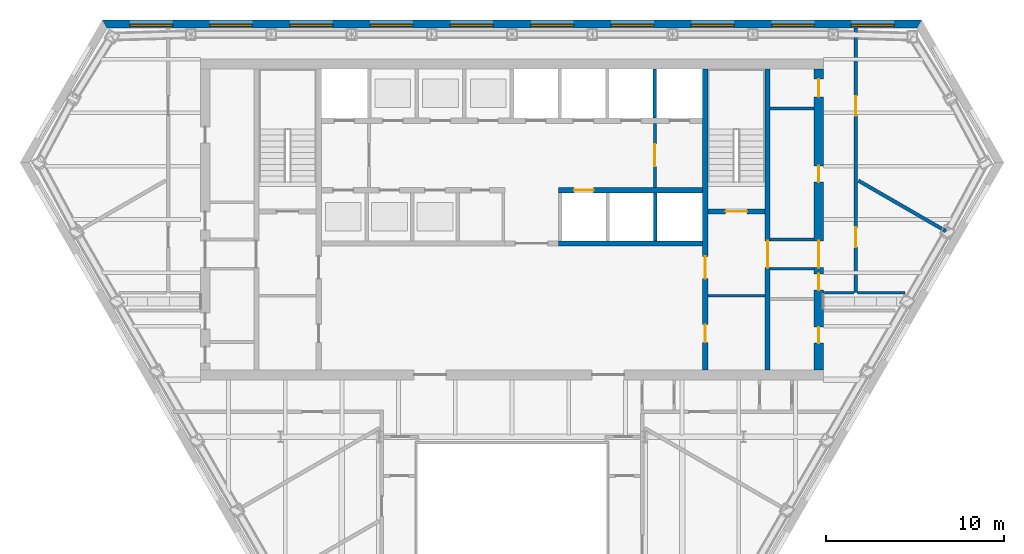
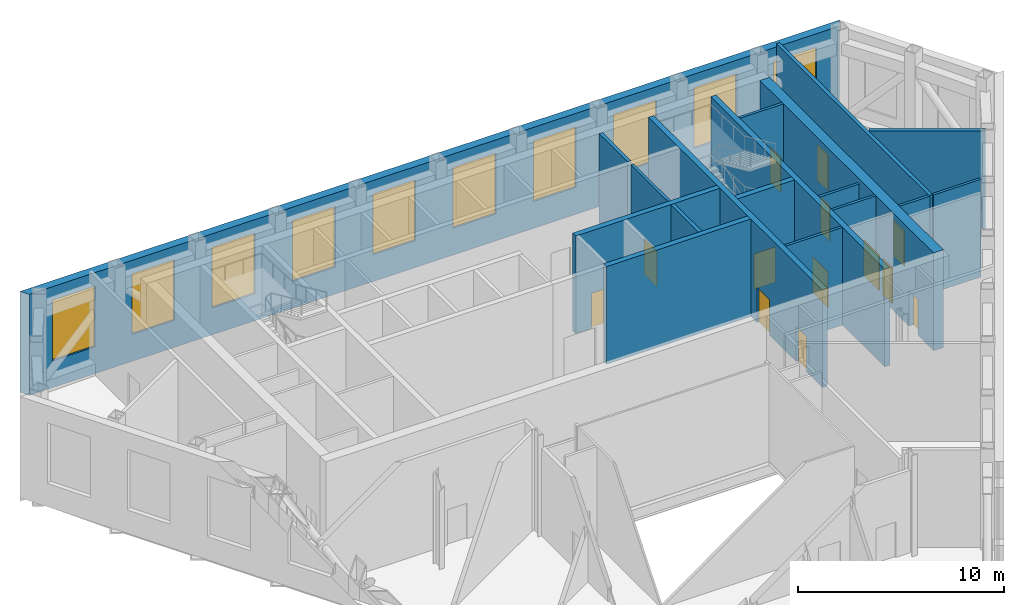
# One storey, part 10 of 15: 18 walls, 13 doors, 10 shading devices, 23 openings.
"""IFC4 building model written with IfcOpenShell, lengths in metres."""

from ifc_helpers import new_model, si_unit, direction, frame, frame_2d, origin, place, context, subcontext, project, spatial, polyline, rectangle, outline, extrude, material, layer, layer_set, type_object, element, fill, save


model = new_model("IFC4")

# Units and contexts
model_context = context("Model", 3, precision=1e-05, world=origin(), true_north=direction((0.0, 1.0)))
body_context = subcontext(model_context, "Body", "Model", "MODEL_VIEW")
ifc_project = project(units=[si_unit("LENGTHUNIT", "METRE"), si_unit("AREAUNIT", "SQUARE_METRE"), si_unit("VOLUMEUNIT", "CUBIC_METRE"), si_unit("PLANEANGLEUNIT", "RADIAN"), si_unit("MASSUNIT", "GRAM", prefix="KILO")], contexts=[model_context])

# Site, building, storey
site_placement = place(None, origin())
site = spatial("IfcSite", under=ifc_project, at=site_placement, CompositionType="ELEMENT")
building_placement = place(site_placement, origin())
building = spatial("IfcBuilding", under=site, at=building_placement, Name="Njiva Tower", CompositionType="ELEMENT")
storey_placement = place(building_placement, frame((0.0, 0.0, 133.8)))
storey = spatial("IfcBuildingStorey", under=building, at=storey_placement, Name="L28", CompositionType="ELEMENT", Elevation=133.8)

# Walls
ifc_material_1 = material(Name="Blockwork", Category="masonry")
ifc_layer_1 = layer(ifc_material_1, 0.15)
ifc_layer_set_1 = layer_set([ifc_layer_1], Name="Blockwork")
wall_type_1 = type_object("IfcWallType", Name="WT1 Compartment partition 150", PredefinedType="PARTITIONING", material=ifc_layer_set_1)
wall_1_placement = place(storey_placement, frame((11.0, 4.725, 0.0), z_axis=(0.0, 0.0, 1.0), x_axis=(1.0, 0.0, 0.0)))
element("IfcWall", 1, at=wall_1_placement, inside=storey, type_object=wall_type_1, Name="Room wall B", PredefinedType="PARTITIONING", context=body_context, shape_type="SweptSolid", body=[
    extrude(rectangle(XDim=3.2, YDim=0.15, at=frame_2d((1.6, 0.0))), origin(), (0.0, 0.0, 1.0), 5.8),
])
wall_2_placement = place(storey_placement, frame((14.5, 15.2299, 0.0), z_axis=(0.0, 0.0, 1.0), x_axis=(1.0, 0.0, 0.0)))
element("IfcWall", 2, at=wall_2_placement, inside=storey, type_object=wall_type_1, Name="Partition strip E10", PredefinedType="PARTITIONING", context=body_context, shape_type="SweptSolid", body=[
    extrude(rectangle(XDim=2.45, YDim=0.15, at=frame_2d((1.225, 0.0))), origin(), (0.0, 0.0, 1.0), 5.8),
])

# Wall, openings, doors
ifc_material_2 = material(Name="Concrete C40/50", Category="concrete")
ifc_layer_2 = layer(ifc_material_2, 0.3)
ifc_layer_set_2 = layer_set([ifc_layer_2], Name="Concrete C40/50")
wall_type_2 = type_object("IfcWallType", Name="WT10 Stair enclosure wall 300", PredefinedType="SHEAR", material=ifc_layer_set_2)
wall_3_placement = place(storey_placement, frame((10.85, 0.55, 0.0), z_axis=(0.0, 0.0, 1.0), x_axis=(0.0, 1.0, 0.0)))
wall_3 = element("IfcWall", 3, at=wall_3_placement, inside=storey, type_object=wall_type_2, Name="Stair wall east inner", PredefinedType="SHEAR", context=body_context, shape_type="SweptSolid", body=[
    extrude(rectangle(XDim=16.9, YDim=0.3, at=frame_2d((8.45, 0.0))), origin(), (0.0, 0.0, 1.0), 5.8),
])
opening_1_placement = place(wall_3_placement, frame((5.125, 0.0, 0.0)))
opening_1 = element("IfcOpeningElement", 4, at=opening_1_placement, cuts=wall_3, Name="Opening T2-D920", PredefinedType="OPENING", context=body_context, shape_type="SweptSolid", body=[
    extrude(rectangle(XDim=1.25, YDim=2.1, at=frame_2d((0.625, 1.05))), frame((0.0, 0.16, 0.0), z_axis=(0.0, -1.0, 0.0), x_axis=(1.0, 0.0, 0.0)), (0.0, 0.0, 1.0), 0.32),
])
opening_2_placement = place(wall_3_placement, frame((1.55, 0.0, 0.0)))
opening_2 = element("IfcOpeningElement", 5, at=opening_2_placement, cuts=wall_3, Name="Opening T2-D921", PredefinedType="OPENING", context=body_context, shape_type="SweptSolid", body=[
    extrude(rectangle(XDim=1.0, YDim=2.1, at=frame_2d((0.5, 1.05))), frame((0.0, 0.16, 0.0), z_axis=(0.0, -1.0, 0.0), x_axis=(1.0, 0.0, 0.0)), (0.0, 0.0, 1.0), 0.32),
])
ifc_material_3 = material(Name="Steel door, painted", Category="steel")
door_type_1 = type_object("IfcDoorType", Name="D5 Steel door 1000x2100", OperationType="SINGLE_SWING_LEFT", PredefinedType="DOOR", material=ifc_material_3)
door_1_placement = place(opening_2_placement, origin())
door_1 = element("IfcDoor", 6, at=door_1_placement, inside=storey, type_object=door_type_1, Name="Electrical plant room door", OperationType="SINGLE_SWING_LEFT", OverallHeight=2.1, OverallWidth=1.0, PredefinedType="DOOR", context=body_context, shape_type="SweptSolid", body=[
    extrude(rectangle(XDim=1.0, YDim=2.1, at=frame_2d((0.5, 1.05))), frame((0.0, 0.025, 0.0), z_axis=(0.0, -1.0, 0.0), x_axis=(1.0, 0.0, 0.0)), (0.0, 0.0, 1.0), 0.05),
])
fill(opening_2, door_1)
ifc_material_4 = material(Name="Glazed steel fire door", Category="steel")
door_type_2 = type_object("IfcDoorType", Name="D8 Vestibule corridor door 1250x2100 glazed", OperationType="SINGLE_SWING_LEFT", PredefinedType="DOOR", material=ifc_material_4)
door_2_placement = place(opening_1_placement, origin())
door_2 = element("IfcDoor", 7, at=door_2_placement, inside=storey, type_object=door_type_2, Name="Stair vestibule corridor door", OperationType="SINGLE_SWING_RIGHT", OverallHeight=2.1, OverallWidth=1.25, PredefinedType="DOOR", context=body_context, shape_type="SweptSolid", body=[
    extrude(rectangle(XDim=1.25, YDim=2.1, at=frame_2d((0.625, 1.05))), frame((0.0, 0.025, 0.0), z_axis=(0.0, -1.0, 0.0), x_axis=(1.0, 0.0, 0.0)), (0.0, 0.0, 1.0), 0.05),
])
fill(opening_1, door_2)

# Wall, opening, door
wall_4_placement = place(storey_placement, frame((14.35, 0.55, 0.0), z_axis=(0.0, 0.0, 1.0), x_axis=(0.0, 1.0, 0.0)))
wall_4 = element("IfcWall", 8, at=wall_4_placement, inside=storey, type_object=wall_type_2, Name="Stair wall east outer", PredefinedType="SHEAR", context=body_context, shape_type="SweptSolid", body=[
    extrude(rectangle(XDim=16.9, YDim=0.3, at=frame_2d((8.45, 0.0))), origin(), (0.0, 0.0, 1.0), 5.8),
])
opening_3_placement = place(wall_4_placement, frame((5.75, 0.0, 0.0)))
opening_3 = element("IfcOpeningElement", 9, at=opening_3_placement, cuts=wall_4, Name="Opening T2-D928", PredefinedType="OPENING", context=body_context, shape_type="SweptSolid", body=[
    extrude(rectangle(XDim=1.5, YDim=2.1, at=frame_2d((0.75, 1.05))), frame((0.0, 0.16, 0.0), z_axis=(0.0, -1.0, 0.0), x_axis=(1.0, 0.0, 0.0)), (0.0, 0.0, 1.0), 0.32),
])
door_type_3 = type_object("IfcDoorType", Name="D10 Exit door double 1500x2100 glazed", OperationType="DOUBLE_DOOR_SINGLE_SWING", PredefinedType="DOOR", material=ifc_material_4)
door_3_placement = place(opening_3_placement, origin())
door_3 = element("IfcDoor", 10, at=door_3_placement, inside=storey, type_object=door_type_3, Name="Stair B passage door", OperationType="DOUBLE_DOOR_SINGLE_SWING", OverallHeight=2.1, OverallWidth=1.5, PredefinedType="DOOR", context=body_context, shape_type="SweptSolid", body=[
    extrude(rectangle(XDim=1.5, YDim=2.1, at=frame_2d((0.75, 1.05))), frame((0.0, 0.025, 0.0), z_axis=(0.0, -1.0, 0.0), x_axis=(1.0, 0.0, 0.0)), (0.0, 0.0, 1.0), 0.05),
])
fill(opening_3, door_3)

wall_5_placement = place(storey_placement, frame((11.0, 9.45, 0.0), z_axis=(0.0, 0.0, 1.0), x_axis=(1.0, 0.0, 0.0)))
wall_5 = element("IfcWall", 11, at=wall_5_placement, inside=storey, type_object=wall_type_2, Name="Stair B south wall", PredefinedType="SHEAR", context=body_context, shape_type="SweptSolid", body=[
    extrude(rectangle(XDim=3.2, YDim=0.3, at=frame_2d((1.6, 0.0))), origin(), (0.0, 0.0, 1.0), 5.8),
])
opening_4_placement = place(wall_5_placement, frame((1.0, 0.0, 0.0)))
opening_4 = element("IfcOpeningElement", 12, at=opening_4_placement, cuts=wall_5, Name="Opening T2-D919", PredefinedType="OPENING", context=body_context, shape_type="SweptSolid", body=[
    extrude(rectangle(XDim=1.2, YDim=2.1, at=frame_2d((0.6, 1.05))), frame((0.0, 0.16, 0.0), z_axis=(0.0, -1.0, 0.0), x_axis=(1.0, 0.0, 0.0)), (0.0, 0.0, 1.0), 0.32),
])
door_type_4 = type_object("IfcDoorType", Name="D7 Stair vestibule door 1200x2100 glazed", OperationType="SINGLE_SWING_LEFT", PredefinedType="DOOR", material=ifc_material_4)
door_4_placement = place(opening_4_placement, origin())
door_4 = element("IfcDoor", 13, at=door_4_placement, inside=storey, type_object=door_type_4, Name="Stair B door", OperationType="SINGLE_SWING_LEFT", OverallHeight=2.1, OverallWidth=1.2, PredefinedType="DOOR", context=body_context, shape_type="SweptSolid", body=[
    extrude(rectangle(XDim=1.2, YDim=2.1, at=frame_2d((0.6, 1.05))), frame((0.0, 0.025, 0.0), z_axis=(0.0, -1.0, 0.0), x_axis=(1.0, 0.0, 0.0)), (0.0, 0.0, 1.0), 0.05),
])
fill(opening_4, door_4)

# Wall, openings, doors
ifc_material_5 = material(Name="Concrete C60/75", Category="concrete")
ifc_layer_3 = layer(ifc_material_5, 0.55)
ifc_layer_set_3 = layer_set([ifc_layer_3], Name="Concrete C60/75")
wall_type_3 = type_object("IfcWallType", Name="WT14 Core wall 550", PredefinedType="SHEAR", material=ifc_layer_set_3)
wall_6_placement = place(storey_placement, frame((17.225, 0.55, 0.0), z_axis=(0.0, 0.0, 1.0), x_axis=(0.0, 1.0, 0.0)))
wall_6 = element("IfcWall", 14, at=wall_6_placement, inside=storey, type_object=wall_type_3, Name="Core wall east", PredefinedType="SHEAR", context=body_context, shape_type="SweptSolid", body=[
    extrude(rectangle(XDim=16.9, YDim=0.55, at=frame_2d((8.45, 0.0))), origin(), (0.0, 0.0, 1.0), 5.8),
])
opening_5_placement = place(wall_6_placement, frame((5.75, 0.0, 0.0)))
opening_5 = element("IfcOpeningElement", 15, at=opening_5_placement, cuts=wall_6, Name="Opening T2-D929", PredefinedType="OPENING", context=body_context, shape_type="SweptSolid", body=[
    extrude(rectangle(XDim=1.5, YDim=2.1, at=frame_2d((0.75, 1.05))), frame((0.0, 0.285, 0.0), z_axis=(0.0, -1.0, 0.0), x_axis=(1.0, 0.0, 0.0)), (0.0, 0.0, 1.0), 0.57),
])
opening_6_placement = place(wall_6_placement, frame((1.5064, 0.0, 0.0)))
opening_6 = element("IfcOpeningElement", 16, at=opening_6_placement, cuts=wall_6, Name="Opening T2-D930", PredefinedType="OPENING", context=body_context, shape_type="SweptSolid", body=[
    extrude(rectangle(XDim=0.9, YDim=2.1, at=frame_2d((0.45, 1.05))), frame((0.0, 0.285, 0.0), z_axis=(0.0, -1.0, 0.0), x_axis=(1.0, 0.0, 0.0)), (0.0, 0.0, 1.0), 0.57),
])
opening_7_placement = place(wall_6_placement, frame((4.4888, 0.0, 0.0)))
opening_7 = element("IfcOpeningElement", 17, at=opening_7_placement, cuts=wall_6, Name="Opening T2-D931", PredefinedType="OPENING", context=body_context, shape_type="SweptSolid", body=[
    extrude(rectangle(XDim=0.9, YDim=2.1, at=frame_2d((0.45, 1.05))), frame((0.0, 0.285, 0.0), z_axis=(0.0, -1.0, 0.0), x_axis=(1.0, 0.0, 0.0)), (0.0, 0.0, 1.0), 0.57),
])
opening_8_placement = place(wall_6_placement, frame((10.5525, 0.0, 0.0)))
opening_8 = element("IfcOpeningElement", 18, at=opening_8_placement, cuts=wall_6, Name="Opening T2-D932", PredefinedType="OPENING", context=body_context, shape_type="SweptSolid", body=[
    extrude(rectangle(XDim=0.9, YDim=2.1, at=frame_2d((0.45, 1.05))), frame((0.0, 0.285, 0.0), z_axis=(0.0, -1.0, 0.0), x_axis=(1.0, 0.0, 0.0)), (0.0, 0.0, 1.0), 0.57),
])
opening_9_placement = place(wall_6_placement, frame((15.3275, 0.0, 0.0)))
opening_9 = element("IfcOpeningElement", 19, at=opening_9_placement, cuts=wall_6, Name="Opening T2-D933", PredefinedType="OPENING", context=body_context, shape_type="SweptSolid", body=[
    extrude(rectangle(XDim=1.0, YDim=2.1, at=frame_2d((0.5, 1.05))), frame((0.0, 0.285, 0.0), z_axis=(0.0, -1.0, 0.0), x_axis=(1.0, 0.0, 0.0)), (0.0, 0.0, 1.0), 0.57),
])
door_5_placement = place(opening_5_placement, origin())
door_5 = element("IfcDoor", 20, at=door_5_placement, inside=storey, type_object=door_type_3, Name="Stair B corridor door", OperationType="DOUBLE_DOOR_SINGLE_SWING", OverallHeight=2.1, OverallWidth=1.5, PredefinedType="DOOR", context=body_context, shape_type="SweptSolid", body=[
    extrude(rectangle(XDim=1.5, YDim=2.1, at=frame_2d((0.75, 1.05))), frame((0.0, 0.025, 0.0), z_axis=(0.0, -1.0, 0.0), x_axis=(1.0, 0.0, 0.0)), (0.0, 0.0, 1.0), 0.05),
])
fill(opening_5, door_5)
door_type_5 = type_object("IfcDoorType", Name="D4 Riser door 900x2100", OperationType="SINGLE_SWING_LEFT", PredefinedType="DOOR", material=ifc_material_3)
door_6_placement = place(opening_7_placement, origin())
door_6 = element("IfcDoor", 21, at=door_6_placement, inside=storey, type_object=door_type_5, Name="Mechanical riser door", OperationType="SINGLE_SWING_LEFT", OverallHeight=2.1, OverallWidth=0.9, PredefinedType="DOOR", context=body_context, shape_type="SweptSolid", body=[
    extrude(rectangle(XDim=0.9, YDim=2.1, at=frame_2d((0.45, 1.05))), frame((0.0, 0.025, 0.0), z_axis=(0.0, -1.0, 0.0), x_axis=(1.0, 0.0, 0.0)), (0.0, 0.0, 1.0), 0.05),
])
fill(opening_7, door_6)
door_7_placement = place(opening_9_placement, origin())
door_7 = element("IfcDoor", 22, at=door_7_placement, inside=storey, type_object=door_type_1, Name="Telecoms plant room door", OperationType="SINGLE_SWING_LEFT", OverallHeight=2.1, OverallWidth=1.0, PredefinedType="DOOR", context=body_context, shape_type="SweptSolid", body=[
    extrude(rectangle(XDim=1.0, YDim=2.1, at=frame_2d((0.5, 1.05))), frame((0.0, 0.025, 0.0), z_axis=(0.0, -1.0, 0.0), x_axis=(1.0, 0.0, 0.0)), (0.0, 0.0, 1.0), 0.05),
])
fill(opening_9, door_7)
ifc_material_6 = material(Name="Steel fire door, painted", Category="steel")
door_type_6 = type_object("IfcDoorType", Name="D6 Fire-rated door 900x2100", OperationType="SINGLE_SWING_LEFT", PredefinedType="DOOR", material=ifc_material_6)
door_8_placement = place(opening_6_placement, origin())
door_8 = element("IfcDoor", 23, at=door_8_placement, inside=storey, type_object=door_type_6, Name="Plant room door", OperationType="SINGLE_SWING_RIGHT", OverallHeight=2.1, OverallWidth=0.9, PredefinedType="DOOR", context=body_context, shape_type="SweptSolid", body=[
    extrude(rectangle(XDim=0.9, YDim=2.1, at=frame_2d((0.45, 1.05))), frame((0.0, 0.025, 0.0), z_axis=(0.0, -1.0, 0.0), x_axis=(1.0, 0.0, 0.0)), (0.0, 0.0, 1.0), 0.05),
])
fill(opening_6, door_8)
door_9_placement = place(opening_8_placement, origin())
door_9 = element("IfcDoor", 24, at=door_9_placement, inside=storey, type_object=door_type_6, Name="Plant room door", OperationType="SINGLE_SWING_LEFT", OverallHeight=2.1, OverallWidth=0.9, PredefinedType="DOOR", context=body_context, shape_type="SweptSolid", body=[
    extrude(rectangle(XDim=0.9, YDim=2.1, at=frame_2d((0.45, 1.05))), frame((0.0, 0.025, 0.0), z_axis=(0.0, -1.0, 0.0), x_axis=(1.0, 0.0, 0.0)), (0.0, 0.0, 1.0), 0.05),
])
fill(opening_8, door_9)

# Wall, opening, door
ifc_layer_4 = layer(ifc_material_1, 0.15)
ifc_layer_set_4 = layer_set([ifc_layer_4], Name="Blockwork")
wall_type_4 = type_object("IfcWallType", Name="WT2 Lobby partition 150", PredefinedType="PARTITIONING", material=ifc_layer_set_4)
wall_7_placement = place(storey_placement, frame((8.025, 10.8, 0.0), z_axis=(0.0, 0.0, 1.0), x_axis=(0.0, 1.0, 0.0)))
wall_7 = element("IfcWall", 25, at=wall_7_placement, inside=storey, type_object=wall_type_4, Name="Firefighting lobby wall B", PredefinedType="PARTITIONING", context=body_context, shape_type="SweptSolid", body=[
    extrude(rectangle(XDim=3.6, YDim=0.15, at=frame_2d((1.8, 0.0))), origin(), (0.0, 0.0, 1.0), 5.8),
])
opening_10_placement = place(wall_7_placement, frame((1.175, 0.0, 0.0)))
opening_10 = element("IfcOpeningElement", 26, at=opening_10_placement, cuts=wall_7, Name="Opening T2-D918", PredefinedType="OPENING", context=body_context, shape_type="SweptSolid", body=[
    extrude(rectangle(XDim=1.25, YDim=2.1, at=frame_2d((0.625, 1.05))), frame((0.0, 0.085, 0.0), z_axis=(0.0, -1.0, 0.0), x_axis=(1.0, 0.0, 0.0)), (0.0, 0.0, 1.0), 0.17),
])
door_10_placement = place(opening_10_placement, origin())
door_10 = element("IfcDoor", 27, at=door_10_placement, inside=storey, type_object=door_type_2, Name="Stair vestibule corridor door", OperationType="SINGLE_SWING_LEFT", OverallHeight=2.1, OverallWidth=1.25, PredefinedType="DOOR", context=body_context, shape_type="SweptSolid", body=[
    extrude(rectangle(XDim=1.25, YDim=2.1, at=frame_2d((0.625, 1.05))), frame((0.0, 0.025, 0.0), z_axis=(0.0, -1.0, 0.0), x_axis=(1.0, 0.0, 0.0)), (0.0, 0.0, 1.0), 0.05),
])
fill(opening_10, door_10)

# Walls
ifc_material_7 = material(Name="Gypsum board on steel studs", Category="gypsum")
ifc_layer_5 = layer(ifc_material_7, 0.15)
ifc_layer_set_5 = layer_set([ifc_layer_5], Name="Gypsum board on steel studs")
wall_type_5 = type_object("IfcWallType", Name="WT21 Compartment wall 150", PredefinedType="PARTITIONING", material=ifc_layer_set_5)
wall_8_placement = place(storey_placement, frame((17.5, 4.889, 0.0), z_axis=(0.0, 0.0, 1.0), x_axis=(1.0, 0.0, 0.0)))
element("IfcWall", 28, at=wall_8_placement, inside=storey, type_object=wall_type_5, Name="Partition T2-P030", PredefinedType="PARTITIONING", context=body_context, shape_type="SweptSolid", body=[
    extrude(rectangle(XDim=1.7, YDim=0.15, at=frame_2d((0.85, 0.0))), origin(), (0.0, 0.0, 1.0), 5.8),
])
wall_9_placement = place(storey_placement, frame((19.4, 4.889, 0.0), z_axis=(0.0, 0.0, 1.0), x_axis=(1.0, 0.0, 0.0)))
element("IfcWall", 29, at=wall_9_placement, inside=storey, type_object=wall_type_5, Name="Partition T2-P032", PredefinedType="PARTITIONING", context=body_context, shape_type="SweptSolid", body=[
    extrude(rectangle(XDim=2.677, YDim=0.15, at=frame_2d((1.3385, 0.0))), origin(), (0.0, 0.0, 1.0), 5.8),
])

# Wall, openings, doors
ifc_layer_6 = layer(ifc_material_1, 0.2)
ifc_layer_set_6 = layer_set([ifc_layer_6], Name="Blockwork")
wall_type_6 = type_object("IfcWallType", Name="WT22 Plant room wall 200", PredefinedType="PARTITIONING", material=ifc_layer_set_6)
wall_10_placement = place(storey_placement, frame((19.3, 4.889, 0.0), z_axis=(0.0, 0.0, 1.0), x_axis=(0.0, 1.0, 0.0)))
wall_10 = element("IfcWall", 30, at=wall_10_placement, inside=storey, type_object=wall_type_6, Name="Partition T2-P031", PredefinedType="PARTITIONING", context=body_context, shape_type="SweptSolid", body=[
    extrude(rectangle(XDim=14.858, YDim=0.2, at=frame_2d((7.429, 0.0))), origin(), (0.0, 0.0, 1.0), 5.8),
])
opening_11_placement = place(wall_10_placement, frame((2.563, 0.0, 0.0)))
opening_11 = element("IfcOpeningElement", 31, at=opening_11_placement, cuts=wall_10, Name="Opening T2-D018", PredefinedType="OPENING", context=body_context, shape_type="SweptSolid", body=[
    extrude(rectangle(XDim=1.1, YDim=2.1, at=frame_2d((0.55, 1.05))), frame((0.0, 0.11, 0.0), z_axis=(0.0, -1.0, 0.0), x_axis=(1.0, 0.0, 0.0)), (0.0, 0.0, 1.0), 0.22),
])
opening_12_placement = place(wall_10_placement, frame((9.942, 0.0, 0.0)))
opening_12 = element("IfcOpeningElement", 32, at=opening_12_placement, cuts=wall_10, Name="Opening T2-D019", PredefinedType="OPENING", context=body_context, shape_type="SweptSolid", body=[
    extrude(rectangle(XDim=1.1, YDim=2.1, at=frame_2d((0.55, 1.05))), frame((0.0, 0.11, 0.0), z_axis=(0.0, -1.0, 0.0), x_axis=(1.0, 0.0, 0.0)), (0.0, 0.0, 1.0), 0.22),
])
ifc_material_8 = material(Name="Steel door set", Category="steel")
door_type_7 = type_object("IfcDoorType", Name="D34 Plant door 1100x2100", OperationType="SINGLE_SWING_LEFT", PredefinedType="DOOR", material=ifc_material_8)
door_11_placement = place(opening_11_placement, origin())
door_11 = element("IfcDoor", 33, at=door_11_placement, inside=storey, type_object=door_type_7, Name="Door T2-D018", OperationType="SINGLE_SWING_LEFT", OverallHeight=2.1, OverallWidth=1.1, PredefinedType="DOOR", context=body_context, shape_type="SweptSolid", body=[
    extrude(rectangle(XDim=1.1, YDim=2.1, at=frame_2d((0.55, 1.05))), frame((0.0, 0.025, 0.0), z_axis=(0.0, -1.0, 0.0), x_axis=(1.0, 0.0, 0.0)), (0.0, 0.0, 1.0), 0.05),
])
fill(opening_11, door_11)
door_12_placement = place(opening_12_placement, origin())
door_12 = element("IfcDoor", 34, at=door_12_placement, inside=storey, type_object=door_type_7, Name="Door T2-D019", OperationType="SINGLE_SWING_RIGHT", OverallHeight=2.1, OverallWidth=1.1, PredefinedType="DOOR", context=body_context, shape_type="SweptSolid", body=[
    extrude(rectangle(XDim=1.1, YDim=2.1, at=frame_2d((0.55, 1.05))), frame((0.0, 0.025, 0.0), z_axis=(0.0, -1.0, 0.0), x_axis=(1.0, 0.0, 0.0)), (0.0, 0.0, 1.0), 0.05),
])
fill(opening_12, door_12)

# Walls
wall_11_placement = place(storey_placement, frame((19.45, 11.179, 0.0), z_axis=(0.0, 0.0, 1.0), x_axis=(0.866053440288, -0.499951436208, 0.0)))
element("IfcWall", 35, at=wall_11_placement, inside=storey, type_object=wall_type_6, Name="Partition T2-P033", PredefinedType="PARTITIONING", context=body_context, shape_type="SweptSolid", body=[
    extrude(rectangle(XDim=5.6706, YDim=0.2, at=frame_2d((2.8353, 0.0))), origin(), (0.0, 0.0, 1.0), 5.8),
])
ifc_layer_7 = layer(ifc_material_1, 0.15)
ifc_layer_set_7 = layer_set([ifc_layer_7], Name="Blockwork")
wall_type_7 = type_object("IfcWallType", Name="WT4 Stair partition 150", PredefinedType="PARTITIONING", material=ifc_layer_set_7)
wall_12_placement = place(storey_placement, frame((14.5, 6.225, 0.0), z_axis=(0.0, 0.0, 1.0), x_axis=(1.0, 0.0, 0.0)))
element("IfcWall", 36, at=wall_12_placement, inside=storey, type_object=wall_type_7, Name="Stair B exit passage wall south", PredefinedType="PARTITIONING", context=body_context, shape_type="SweptSolid", body=[
    extrude(rectangle(XDim=2.45, YDim=0.15, at=frame_2d((1.225, 0.0))), origin(), (0.0, 0.0, 1.0), 5.8),
])
wall_13_placement = place(storey_placement, frame((14.5, 7.875, 0.0), z_axis=(0.0, 0.0, 1.0), x_axis=(1.0, 0.0, 0.0)))
element("IfcWall", 37, at=wall_13_placement, inside=storey, type_object=wall_type_7, Name="Stair B exit passage wall north", PredefinedType="PARTITIONING", context=body_context, shape_type="SweptSolid", body=[
    extrude(rectangle(XDim=2.45, YDim=0.15, at=frame_2d((1.225, 0.0))), origin(), (0.0, 0.0, 1.0), 5.5),
])
ifc_layer_8 = layer(ifc_material_2, 0.2)
ifc_layer_set_8 = layer_set([ifc_layer_8], Name="Concrete C40/50")
wall_type_8 = type_object("IfcWallType", Name="WT6 Lift shaft wall 200", PredefinedType="SHEAR", material=ifc_layer_set_8)
wall_14_placement = place(storey_placement, frame((8.025, 14.7, 0.0), z_axis=(0.0, 0.0, 1.0), x_axis=(0.0, 1.0, 0.0)))
element("IfcWall", 38, at=wall_14_placement, inside=storey, type_object=wall_type_8, Name="Shaft wall CN7", PredefinedType="SHEAR", context=body_context, shape_type="SweptSolid", body=[
    extrude(rectangle(XDim=2.75, YDim=0.2, at=frame_2d((1.375, 0.0))), origin(), (0.0, 0.0, 1.0), 5.8),
])
wall_15_placement = place(storey_placement, frame((8.0333, 7.8, 0.0), z_axis=(0.0, 0.0, 1.0), x_axis=(0.0, 1.0, 0.0)))
element("IfcWall", 39, at=wall_15_placement, inside=storey, type_object=wall_type_8, Name="Shaft wall CS7", PredefinedType="SHEAR", context=body_context, shape_type="SweptSolid", body=[
    extrude(rectangle(XDim=2.7, YDim=0.2, at=frame_2d((1.35, 0.0))), origin(), (0.0, 0.0, 1.0), 5.8),
])

# Wall, opening, door
ifc_layer_9 = layer(ifc_material_2, 0.3)
ifc_layer_set_9 = layer_set([ifc_layer_9], Name="Concrete C40/50")
wall_type_9 = type_object("IfcWallType", Name="WT7 Lift shaft wall 300", PredefinedType="SHEAR", material=ifc_layer_set_9)
wall_16_placement = place(storey_placement, frame((2.6, 10.65, 0.0), z_axis=(0.0, 0.0, 1.0), x_axis=(1.0, 0.0, 0.0)))
wall_16 = element("IfcWall", 40, at=wall_16_placement, inside=storey, type_object=wall_type_9, Name="Shaft wall south row lobby side E", PredefinedType="SHEAR", context=body_context, shape_type="SweptSolid", body=[
    extrude(rectangle(XDim=8.1, YDim=0.3, at=frame_2d((4.05, 0.0))), origin(), (0.0, 0.0, 1.0), 5.8),
])
opening_13_placement = place(wall_16_placement, frame((0.8834, 0.0, 0.0)))
opening_13 = element("IfcOpeningElement", 41, at=opening_13_placement, cuts=wall_16, Name="Opening T2-D912", PredefinedType="OPENING", context=body_context, shape_type="SweptSolid", body=[
    extrude(rectangle(XDim=1.1, YDim=2.1, at=frame_2d((0.55, 1.05))), frame((0.0, 0.16, 0.0), z_axis=(0.0, -1.0, 0.0), x_axis=(1.0, 0.0, 0.0)), (0.0, 0.0, 1.0), 0.32),
])
ifc_material_9 = material(Name="Stainless steel sliding door", Category="steel")
door_type_8 = type_object("IfcDoorType", Name="LD Lift landing door 1100x2100", OperationType="SLIDING_TO_LEFT", PredefinedType="DOOR", material=ifc_material_9)
door_13_placement = place(opening_13_placement, origin())
door_13 = element("IfcDoor", 42, at=door_13_placement, inside=storey, type_object=door_type_8, Name="Lift landing door SA1", OperationType="SLIDING_TO_LEFT", OverallHeight=2.1, OverallWidth=1.1, PredefinedType="DOOR", context=body_context, shape_type="SweptSolid", body=[
    extrude(rectangle(XDim=1.1, YDim=2.1, at=frame_2d((0.55, 1.05))), frame((0.0, 0.025, 0.0), z_axis=(0.0, -1.0, 0.0), x_axis=(1.0, 0.0, 0.0)), (0.0, 0.0, 1.0), 0.05),
])
fill(opening_13, door_13)

# Wall
wall_17_placement = place(storey_placement, frame((2.6, 7.65, 0.0), z_axis=(0.0, 0.0, 1.0), x_axis=(1.0, 0.0, 0.0)))
element("IfcWall", 43, at=wall_17_placement, inside=storey, type_object=wall_type_9, Name="Shaft wall south row back E", PredefinedType="SHEAR", context=body_context, shape_type="SweptSolid", body=[
    extrude(rectangle(XDim=8.1, YDim=0.3, at=frame_2d((4.05, 0.0))), origin(), (0.0, 0.0, 1.0), 5.8),
])

# Wall, openings, shading devices
ifc_material_10 = material(Name="Brick masonry, buff", Category="masonry")
ifc_layer_10 = layer(ifc_material_10, 0.45)
ifc_layer_set_10 = layer_set([ifc_layer_10], Name="Brick masonry, buff")
wall_type_10 = type_object("IfcWallType", Name="WT94 Brick pier and spandrel wall 450, buff", PredefinedType="SOLIDWALL", material=ifc_layer_set_10)
wall_18_placement = place(storey_placement, frame((22.8751, 19.975, -0.4), z_axis=(0.0, 0.0, 1.0), x_axis=(-1.0, 0.0, 0.0)))
wall_18 = element("IfcWall", 44, at=wall_18_placement, inside=storey, type_object=wall_type_10, Name="Facade wall N", PredefinedType="SOLIDWALL", context=body_context, shape_type="SweptSolid", body=[
    extrude(outline(polyline([(-0.1299, -0.225), (45.8801, -0.225), (45.6203, 0.225), (0.1299, 0.225), (-0.1299, -0.225)])), origin(), (0.0, 0.0, 1.0), 6.0),
])
opening_14_placement = place(wall_18_placement, frame((1.4247, 0.0, 1.6)))
opening_14 = element("IfcOpeningElement", 45, at=opening_14_placement, cuts=wall_18, Name="Opening T2-LV01", PredefinedType="OPENING", context=body_context, shape_type="SweptSolid", body=[
    extrude(rectangle(XDim=2.4, YDim=3.6, at=frame_2d((1.2, 1.8))), frame((0.0, 0.235, 0.0), z_axis=(0.0, -1.0, 0.0), x_axis=(1.0, 0.0, 0.0)), (0.0, 0.0, 1.0), 0.47),
])
opening_15_placement = place(wall_18_placement, frame((5.8949, 0.0, 1.6)))
opening_15 = element("IfcOpeningElement", 46, at=opening_15_placement, cuts=wall_18, Name="Opening T2-LV02", PredefinedType="OPENING", context=body_context, shape_type="SweptSolid", body=[
    extrude(rectangle(XDim=2.4, YDim=3.6, at=frame_2d((1.2, 1.8))), frame((0.0, 0.235, 0.0), z_axis=(0.0, -1.0, 0.0), x_axis=(1.0, 0.0, 0.0)), (0.0, 0.0, 1.0), 0.47),
])
opening_16_placement = place(wall_18_placement, frame((10.4035, 0.0, 1.6)))
opening_16 = element("IfcOpeningElement", 47, at=opening_16_placement, cuts=wall_18, Name="Opening T2-LV03", PredefinedType="OPENING", context=body_context, shape_type="SweptSolid", body=[
    extrude(rectangle(XDim=2.4, YDim=3.6, at=frame_2d((1.2, 1.8))), frame((0.0, 0.235, 0.0), z_axis=(0.0, -1.0, 0.0), x_axis=(1.0, 0.0, 0.0)), (0.0, 0.0, 1.0), 0.47),
])
opening_17_placement = place(wall_18_placement, frame((14.9122, 0.0, 1.6)))
opening_17 = element("IfcOpeningElement", 48, at=opening_17_placement, cuts=wall_18, Name="Opening T2-LV04", PredefinedType="OPENING", context=body_context, shape_type="SweptSolid", body=[
    extrude(rectangle(XDim=2.4, YDim=3.6, at=frame_2d((1.2, 1.8))), frame((0.0, 0.235, 0.0), z_axis=(0.0, -1.0, 0.0), x_axis=(1.0, 0.0, 0.0)), (0.0, 0.0, 1.0), 0.47),
])
opening_18_placement = place(wall_18_placement, frame((19.4208, 0.0, 1.6)))
opening_18 = element("IfcOpeningElement", 49, at=opening_18_placement, cuts=wall_18, Name="Opening T2-LV05", PredefinedType="OPENING", context=body_context, shape_type="SweptSolid", body=[
    extrude(rectangle(XDim=2.4, YDim=3.6, at=frame_2d((1.2, 1.8))), frame((0.0, 0.235, 0.0), z_axis=(0.0, -1.0, 0.0), x_axis=(1.0, 0.0, 0.0)), (0.0, 0.0, 1.0), 0.47),
])
opening_19_placement = place(wall_18_placement, frame((23.9294, 0.0, 1.6)))
opening_19 = element("IfcOpeningElement", 50, at=opening_19_placement, cuts=wall_18, Name="Opening T2-LV06", PredefinedType="OPENING", context=body_context, shape_type="SweptSolid", body=[
    extrude(rectangle(XDim=2.4, YDim=3.6, at=frame_2d((1.2, 1.8))), frame((0.0, 0.235, 0.0), z_axis=(0.0, -1.0, 0.0), x_axis=(1.0, 0.0, 0.0)), (0.0, 0.0, 1.0), 0.47),
])
opening_20_placement = place(wall_18_placement, frame((28.438, 0.0, 1.6)))
opening_20 = element("IfcOpeningElement", 51, at=opening_20_placement, cuts=wall_18, Name="Opening T2-LV07", PredefinedType="OPENING", context=body_context, shape_type="SweptSolid", body=[
    extrude(rectangle(XDim=2.4, YDim=3.6, at=frame_2d((1.2, 1.8))), frame((0.0, 0.235, 0.0), z_axis=(0.0, -1.0, 0.0), x_axis=(1.0, 0.0, 0.0)), (0.0, 0.0, 1.0), 0.47),
])
opening_21_placement = place(wall_18_placement, frame((32.9466, 0.0, 1.6)))
opening_21 = element("IfcOpeningElement", 52, at=opening_21_placement, cuts=wall_18, Name="Opening T2-LV08", PredefinedType="OPENING", context=body_context, shape_type="SweptSolid", body=[
    extrude(rectangle(XDim=2.4, YDim=3.6, at=frame_2d((1.2, 1.8))), frame((0.0, 0.235, 0.0), z_axis=(0.0, -1.0, 0.0), x_axis=(1.0, 0.0, 0.0)), (0.0, 0.0, 1.0), 0.47),
])
opening_22_placement = place(wall_18_placement, frame((37.4553, 0.0, 1.6)))
opening_22 = element("IfcOpeningElement", 53, at=opening_22_placement, cuts=wall_18, Name="Opening T2-LV09", PredefinedType="OPENING", context=body_context, shape_type="SweptSolid", body=[
    extrude(rectangle(XDim=2.4, YDim=3.6, at=frame_2d((1.2, 1.8))), frame((0.0, 0.235, 0.0), z_axis=(0.0, -1.0, 0.0), x_axis=(1.0, 0.0, 0.0)), (0.0, 0.0, 1.0), 0.47),
])
opening_23_placement = place(wall_18_placement, frame((41.9255, 0.0, 1.6)))
opening_23 = element("IfcOpeningElement", 54, at=opening_23_placement, cuts=wall_18, Name="Opening T2-LV10", PredefinedType="OPENING", context=body_context, shape_type="SweptSolid", body=[
    extrude(rectangle(XDim=2.4, YDim=3.6, at=frame_2d((1.2, 1.8))), frame((0.0, 0.235, 0.0), z_axis=(0.0, -1.0, 0.0), x_axis=(1.0, 0.0, 0.0)), (0.0, 0.0, 1.0), 0.47),
])
ifc_material_11 = material(Name="Aluminium louvre blades", Category="aluminium")
shading_device_type = type_object("IfcShadingDeviceType", Name="LV1 Plant louvre 2400x3600", PredefinedType="JALOUSIE", material=ifc_material_11)
shading_device_1_placement = place(opening_14_placement, origin())
shading_device_1 = element("IfcShadingDevice", 55, at=shading_device_1_placement, inside=storey, type_object=shading_device_type, Name="Plant louvre", PredefinedType="JALOUSIE", context=body_context, shape_type="SweptSolid", body=[
    extrude(rectangle(XDim=2.4, YDim=3.6, at=frame_2d((1.2, 1.8))), frame((0.0, 0.125, 0.0), z_axis=(0.0, -1.0, 0.0), x_axis=(1.0, 0.0, 0.0)), (0.0, 0.0, 1.0), 0.1),
])
fill(opening_14, shading_device_1)
shading_device_2_placement = place(opening_15_placement, origin())
shading_device_2 = element("IfcShadingDevice", 56, at=shading_device_2_placement, inside=storey, type_object=shading_device_type, Name="Plant louvre", PredefinedType="JALOUSIE", context=body_context, shape_type="SweptSolid", body=[
    extrude(rectangle(XDim=2.4, YDim=3.6, at=frame_2d((1.2, 1.8))), frame((0.0, 0.125, 0.0), z_axis=(0.0, -1.0, 0.0), x_axis=(1.0, 0.0, 0.0)), (0.0, 0.0, 1.0), 0.1),
])
fill(opening_15, shading_device_2)
shading_device_3_placement = place(opening_16_placement, origin())
shading_device_3 = element("IfcShadingDevice", 57, at=shading_device_3_placement, inside=storey, type_object=shading_device_type, Name="Plant louvre", PredefinedType="JALOUSIE", context=body_context, shape_type="SweptSolid", body=[
    extrude(rectangle(XDim=2.4, YDim=3.6, at=frame_2d((1.2, 1.8))), frame((0.0, 0.125, 0.0), z_axis=(0.0, -1.0, 0.0), x_axis=(1.0, 0.0, 0.0)), (0.0, 0.0, 1.0), 0.1),
])
fill(opening_16, shading_device_3)
shading_device_4_placement = place(opening_17_placement, origin())
shading_device_4 = element("IfcShadingDevice", 58, at=shading_device_4_placement, inside=storey, type_object=shading_device_type, Name="Plant louvre", PredefinedType="JALOUSIE", context=body_context, shape_type="SweptSolid", body=[
    extrude(rectangle(XDim=2.4, YDim=3.6, at=frame_2d((1.2, 1.8))), frame((0.0, 0.125, 0.0), z_axis=(0.0, -1.0, 0.0), x_axis=(1.0, 0.0, 0.0)), (0.0, 0.0, 1.0), 0.1),
])
fill(opening_17, shading_device_4)
shading_device_5_placement = place(opening_18_placement, origin())
shading_device_5 = element("IfcShadingDevice", 59, at=shading_device_5_placement, inside=storey, type_object=shading_device_type, Name="Plant louvre", PredefinedType="JALOUSIE", context=body_context, shape_type="SweptSolid", body=[
    extrude(rectangle(XDim=2.4, YDim=3.6, at=frame_2d((1.2, 1.8))), frame((0.0, 0.125, 0.0), z_axis=(0.0, -1.0, 0.0), x_axis=(1.0, 0.0, 0.0)), (0.0, 0.0, 1.0), 0.1),
])
fill(opening_18, shading_device_5)
shading_device_6_placement = place(opening_19_placement, origin())
shading_device_6 = element("IfcShadingDevice", 60, at=shading_device_6_placement, inside=storey, type_object=shading_device_type, Name="Plant louvre", PredefinedType="JALOUSIE", context=body_context, shape_type="SweptSolid", body=[
    extrude(rectangle(XDim=2.4, YDim=3.6, at=frame_2d((1.2, 1.8))), frame((0.0, 0.125, 0.0), z_axis=(0.0, -1.0, 0.0), x_axis=(1.0, 0.0, 0.0)), (0.0, 0.0, 1.0), 0.1),
])
fill(opening_19, shading_device_6)
shading_device_7_placement = place(opening_20_placement, origin())
shading_device_7 = element("IfcShadingDevice", 61, at=shading_device_7_placement, inside=storey, type_object=shading_device_type, Name="Plant louvre", PredefinedType="JALOUSIE", context=body_context, shape_type="SweptSolid", body=[
    extrude(rectangle(XDim=2.4, YDim=3.6, at=frame_2d((1.2, 1.8))), frame((0.0, 0.125, 0.0), z_axis=(0.0, -1.0, 0.0), x_axis=(1.0, 0.0, 0.0)), (0.0, 0.0, 1.0), 0.1),
])
fill(opening_20, shading_device_7)
shading_device_8_placement = place(opening_21_placement, origin())
shading_device_8 = element("IfcShadingDevice", 62, at=shading_device_8_placement, inside=storey, type_object=shading_device_type, Name="Plant louvre", PredefinedType="JALOUSIE", context=body_context, shape_type="SweptSolid", body=[
    extrude(rectangle(XDim=2.4, YDim=3.6, at=frame_2d((1.2, 1.8))), frame((0.0, 0.125, 0.0), z_axis=(0.0, -1.0, 0.0), x_axis=(1.0, 0.0, 0.0)), (0.0, 0.0, 1.0), 0.1),
])
fill(opening_21, shading_device_8)
shading_device_9_placement = place(opening_22_placement, origin())
shading_device_9 = element("IfcShadingDevice", 63, at=shading_device_9_placement, inside=storey, type_object=shading_device_type, Name="Plant louvre", PredefinedType="JALOUSIE", context=body_context, shape_type="SweptSolid", body=[
    extrude(rectangle(XDim=2.4, YDim=3.6, at=frame_2d((1.2, 1.8))), frame((0.0, 0.125, 0.0), z_axis=(0.0, -1.0, 0.0), x_axis=(1.0, 0.0, 0.0)), (0.0, 0.0, 1.0), 0.1),
])
fill(opening_22, shading_device_9)
shading_device_10_placement = place(opening_23_placement, origin())
shading_device_10 = element("IfcShadingDevice", 64, at=shading_device_10_placement, inside=storey, type_object=shading_device_type, Name="Plant louvre", PredefinedType="JALOUSIE", context=body_context, shape_type="SweptSolid", body=[
    extrude(rectangle(XDim=2.4, YDim=3.6, at=frame_2d((1.2, 1.8))), frame((0.0, 0.125, 0.0), z_axis=(0.0, -1.0, 0.0), x_axis=(1.0, 0.0, 0.0)), (0.0, 0.0, 1.0), 0.1),
])
fill(opening_23, shading_device_10)

save(model, "model.ifc")
